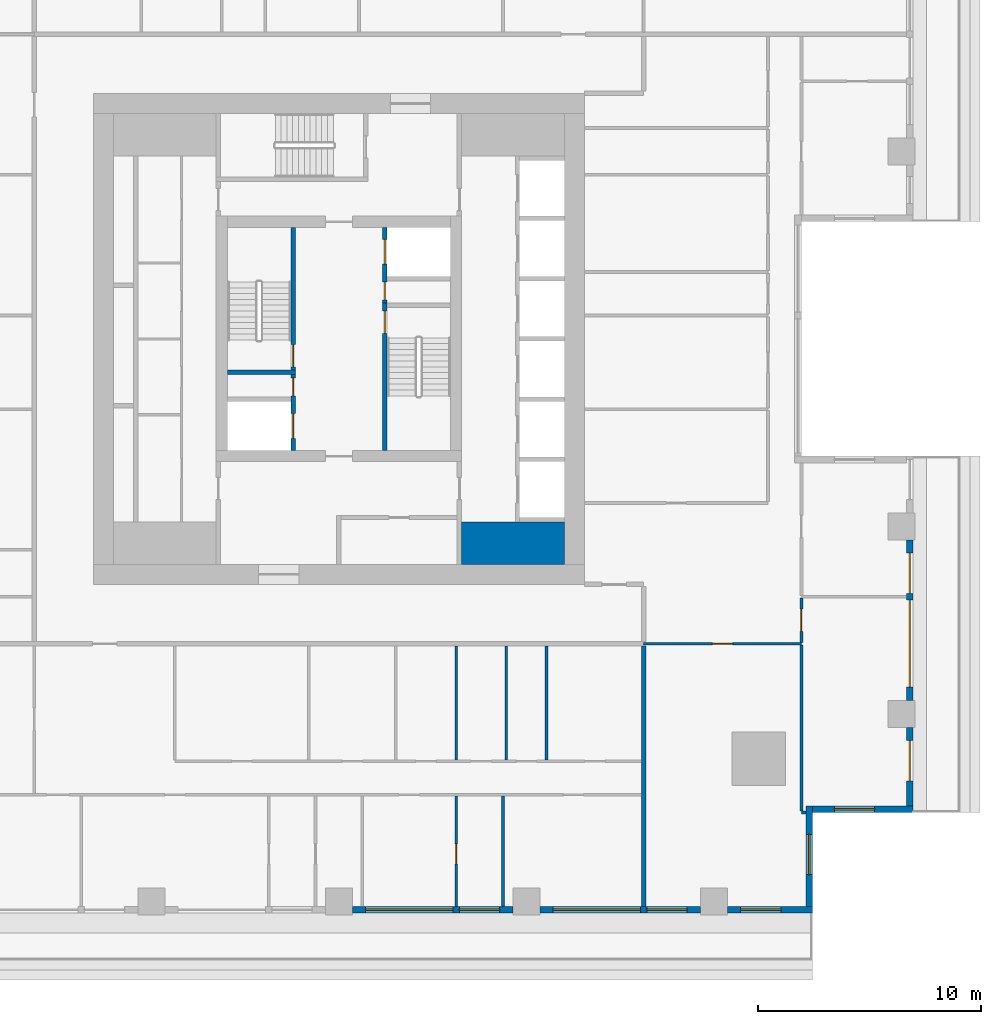
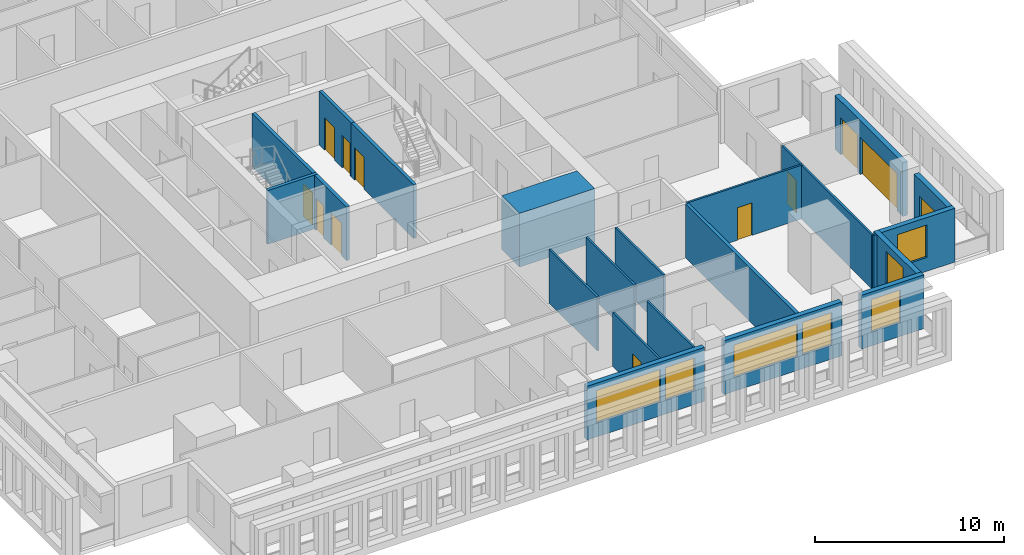
# One storey, part 4 of 15: 23 walls, 12 doors, 7 windows, 19 openings.
"""IFC4 building model written with IfcOpenShell, lengths in metres."""

import ifcopenshell
import ifcopenshell.guid

model = None  # the IFC model being written
_history = None  # IfcOwnerHistory: only IFC2X3 demands one
_inside = {}  # id of a spatial element -> (the spatial element, [elements in it])
_under = {}  # id of a project, library or spatial element -> (it, [spatial elements below it])
_declared = {}  # id of a project -> (the project, [libraries it declares])
_typed = {}  # id of a type object -> (the type object, [elements of that type])
_made_of = {}  # id of a material, layer set ... -> (it, [elements and type objects made of it])


def new_model(schema):
    """Start an empty IFC model of exactly this schema.

    Asked for "IFC4X3", IfcOpenShell would pick the latest addendum, in which some entities
    have other attributes; the version numbers below select the first issue.
    IFC2X3 requires an IfcOwnerHistory on every rooted entity: one is made here for all.
    """
    global model, _history
    if schema == "IFC4X3":
        model = ifcopenshell.file(schema_version=(4, 3, 0, 0))
    else:
        model = ifcopenshell.file(schema=schema)
    _inside.clear()
    _under.clear()
    _declared.clear()
    _typed.clear()
    _made_of.clear()
    _history = None
    if model.schema == "IFC2X3":
        org = make("IfcOrganization", Name="unknown")
        user = make(
            "IfcPersonAndOrganization",
            ThePerson=make("IfcPerson", FamilyName="unknown"),
            TheOrganization=org,
        )
        app = make(
            "IfcApplication",
            ApplicationDeveloper=org,
            Version="unknown",
            ApplicationFullName="unknown",
            ApplicationIdentifier="unknown",
        )
        _history = make(
            "IfcOwnerHistory",
            OwningUser=user,
            OwningApplication=app,
            ChangeAction="ADDED",
            CreationDate=0,
        )
    return model


def make(cls, **values):
    """One entity of the class cls with the attributes given. An attribute that is None is left unset."""
    return model.create_entity(
        cls, **{name: value for name, value in values.items() if value is not None}
    )


def rooted(cls, **values):
    """An entity with a GlobalId (a new one), such as an element, a storey or a relation."""
    return make(cls, GlobalId=ifcopenshell.guid.new(), OwnerHistory=_history, **values)


def si_unit(unit_type, name, prefix=None):
    """IfcSIUnit, for example si_unit("LENGTHUNIT", "METRE", prefix="MILLI")."""
    return make("IfcSIUnit", UnitType=unit_type, Prefix=prefix, Name=name)


def assignment(units):
    """IfcUnitAssignment: the units of a project."""
    return None if units is None else make("IfcUnitAssignment", Units=units)


def point(xyz):
    """IfcCartesianPoint."""
    return None if xyz is None else make("IfcCartesianPoint", Coordinates=xyz)


def direction(xyz):
    """IfcDirection."""
    return None if xyz is None else make("IfcDirection", DirectionRatios=xyz)


def frame(location, z_axis=None, x_axis=None):
    """IfcAxis2Placement3D, a coordinate frame: its origin and axes. An axis left out is left unset."""
    return make(
        "IfcAxis2Placement3D",
        Location=point(location),
        Axis=direction(z_axis),
        RefDirection=direction(x_axis),
    )


def frame_2d(location, x_axis=None):
    """IfcAxis2Placement2D, a coordinate frame in the plane: its origin and x axis."""
    return make(
        "IfcAxis2Placement2D", Location=point(location), RefDirection=direction(x_axis)
    )


def origin():
    """The frame at (0, 0, 0) with its axes left unset."""
    return frame((0.0, 0.0, 0.0))


def place(relative_to, where):
    """IfcLocalPlacement: puts the frame where relative to a parent placement (None: the world)."""
    return make(
        "IfcLocalPlacement", PlacementRelTo=relative_to, RelativePlacement=where
    )


def context(
    kind, dimensions, precision=None, world=None, true_north=None, identifier=None
):
    """IfcGeometricRepresentationContext, for example the 3D "Model" context."""
    return make(
        "IfcGeometricRepresentationContext",
        ContextIdentifier=identifier,
        ContextType=kind,
        CoordinateSpaceDimension=dimensions,
        Precision=precision,
        WorldCoordinateSystem=world,
        TrueNorth=true_north,
    )


def subcontext(parent, identifier, kind, view, scale=None):
    """IfcGeometricRepresentationSubContext, for example "Body" below "Model"."""
    return make(
        "IfcGeometricRepresentationSubContext",
        ContextIdentifier=identifier,
        ContextType=kind,
        ParentContext=parent,
        TargetScale=scale,
        TargetView=view,
    )


def project(units=None, contexts=None):
    """IfcProject with its units and contexts."""
    return rooted(
        "IfcProject",
        Name="project",
        RepresentationContexts=contexts,
        UnitsInContext=assignment(units),
    )


def spatial(cls, under=None, at=None, **own):
    """A site, building, storey or space (cls), placed at a placement, below another one or the project."""
    s = rooted(cls, ObjectPlacement=at, **own)
    if under is not None:
        _under.setdefault(under.id(), (under, []))[1].append(s)
    return s


def profile(cls, at=None, kind="AREA", **sizes):
    """A parametric profile (cls). Its sizes go by their IFC names, for example OverallWidth=200.0."""
    return make(cls, ProfileType=kind, Position=at, **sizes)


def rectangle(**sizes):
    """IfcRectangleProfileDef."""
    return profile("IfcRectangleProfileDef", **sizes)


def extrude(swept, where, along, depth):
    """IfcExtrudedAreaSolid: the profile swept, set in the frame where, extruded along a direction by depth."""
    return make(
        "IfcExtrudedAreaSolid",
        SweptArea=swept,
        Position=where,
        ExtrudedDirection=direction(along),
        Depth=depth,
    )


def shape(context_of_items, identifier, shape_type, items):
    """IfcShapeRepresentation: the items that make up one representation, for example the "Body"."""
    return make(
        "IfcShapeRepresentation",
        ContextOfItems=context_of_items,
        RepresentationIdentifier=identifier,
        RepresentationType=shape_type,
        Items=items,
    )


def material(Name=None, Category=None):
    """IfcMaterial."""
    return make("IfcMaterial", Name=Name, Category=Category)


def layer(
    of_material, thickness, ventilated=None, Name=None, Category=None, Priority=None
):
    """IfcMaterialLayer: one layer of a wall or slab, of a material (None: an air gap)."""
    return make(
        "IfcMaterialLayer",
        Material=of_material,
        LayerThickness=thickness,
        IsVentilated=ventilated,
        Name=Name,
        Category=Category,
        Priority=Priority,
    )


def layer_set(layers, Name=None):
    """IfcMaterialLayerSet."""
    return make("IfcMaterialLayerSet", MaterialLayers=layers, LayerSetName=Name)


def made_of(thing, what):
    """Note that an element or type object is made of a material, layer set ...; save() writes the relation."""
    if what is not None:
        _made_of.setdefault(what.id(), (what, []))[1].append(thing)
    return thing


def type_object(cls, material=None, **own):
    """A type object (cls), such as IfcWallType, which elements share."""
    return made_of(rooted(cls, **own), material)


def element(
    cls,
    number,
    at=None,
    inside=None,
    cuts=None,
    type_object=None,
    material=None,
    context=None,
    identifier="Body",
    shape_type=None,
    held_by="IfcProductDefinitionShape",
    body=None,
    shapes=None,
    **own,
):
    """One element of the class cls, such as IfcWall. Its Tag is "e" and its number.

    at: its placement. inside: the storey or other place that contains it. cuts: it is an
    opening in that element (IfcRelVoidsElement). A single representation is given by context,
    identifier, shape_type and body (its items); several are given by shapes. held_by: the class
    of the entity that holds the representations. save() writes the other relations.
    """
    e = rooted(cls, Tag="e%d" % number, ObjectPlacement=at, **own)
    if body is not None:
        shapes = [shape(context, identifier, shape_type, body)]
    if shapes is not None:
        e.Representation = make(held_by, Representations=shapes)
    if inside is not None:
        _inside.setdefault(inside.id(), (inside, []))[1].append(e)
    if cuts is not None:
        rooted(
            "IfcRelVoidsElement", RelatingBuildingElement=cuts, RelatedOpeningElement=e
        )
    if type_object is not None:
        _typed.setdefault(type_object.id(), (type_object, []))[1].append(e)
    return made_of(e, material)


def fill(opening, filler):
    """IfcRelFillsElement: the door or window that sits in an opening."""
    return rooted(
        "IfcRelFillsElement",
        RelatingOpeningElement=opening,
        RelatedBuildingElement=filler,
    )


def aggregate(whole, parts):
    """IfcRelAggregates: a whole, such as a stair, and the parts it consists of."""
    return rooted("IfcRelAggregates", RelatingObject=whole, RelatedObjects=parts)


def save(model, path):
    """Write the relations noted so far, then the file.

    IfcRelAggregates (storeys below a building ...), IfcRelContainedInSpatialStructure (elements
    in a storey), IfcRelDefinesByType, IfcRelAssociatesMaterial and IfcRelDeclares: one each for
    every whole, place, type object, material and project.
    """
    for whole, parts in _under.values():
        aggregate(whole, parts)
    for where, things in _inside.values():
        rooted(
            "IfcRelContainedInSpatialStructure",
            RelatedElements=things,
            RelatingStructure=where,
        )
    for kind, things in _typed.values():
        rooted("IfcRelDefinesByType", RelatedObjects=things, RelatingType=kind)
    for what, things in _made_of.values():
        rooted("IfcRelAssociatesMaterial", RelatedObjects=things, RelatingMaterial=what)
    for by, libraries in _declared.values():
        rooted("IfcRelDeclares", RelatingContext=by, RelatedDefinitions=libraries)
    model.write(path)


model = new_model("IFC4")

# Units and contexts
model_context = context("Model", 3, precision=1e-05, world=origin(), true_north=direction((0.0, 1.0)))
body_context = subcontext(model_context, "Body", "Model", "MODEL_VIEW")
ifc_project = project(units=[si_unit("LENGTHUNIT", "METRE"), si_unit("AREAUNIT", "SQUARE_METRE"), si_unit("VOLUMEUNIT", "CUBIC_METRE"), si_unit("PLANEANGLEUNIT", "RADIAN"), si_unit("MASSUNIT", "GRAM", prefix="KILO")], contexts=[model_context])

# Site, building, storey
site_placement = place(None, origin())
site = spatial("IfcSite", under=ifc_project, at=site_placement, CompositionType="ELEMENT")
building_placement = place(site_placement, origin())
building = spatial("IfcBuilding", under=site, at=building_placement, Name="Khepri Terraces", CompositionType="ELEMENT")
storey_placement = place(building_placement, frame((0.0, 0.0, 200.10009765625)))
storey = spatial("IfcBuildingStorey", under=building, at=storey_placement, Name="L47", CompositionType="ELEMENT", Elevation=200.10009765625)

# Wall
ifc_material_1 = material(Name="Concrete C50/60", Category="concrete")
ifc_layer_1 = layer(ifc_material_1, 1.89990234375, Name="Concrete C50/60", Category="concrete")
ifc_layer_set_1 = layer_set([ifc_layer_1], Name="Concrete C50/60")
wall_type_1 = type_object("IfcWallType", Name="Core wall 1900 C50/60", PredefinedType="SHEAR", material=ifc_layer_set_1)
wall_1_placement = place(storey_placement, frame((5.5, -9.14990234375, 0.0), z_axis=(0.0, 0.0, 1.0), x_axis=(1.0, 0.0, 0.0)))
element("IfcWall", 1, at=wall_1_placement, inside=storey, type_object=wall_type_1, Name="Core wall PR02 L47", PredefinedType="SHEAR", context=body_context, shape_type="SweptSolid", body=[
    extrude(rectangle(XDim=4.60009765625, YDim=1.89990234375, at=frame_2d((2.300048828125, 0.0))), origin(), (0.0, 0.0, 1.0), 3.47998046875),
])

# Wall, opening, door
ifc_layer_2 = layer(ifc_material_1, 0.199951171875, Name="Concrete C50/60", Category="concrete")
ifc_layer_set_2 = layer_set([ifc_layer_2], Name="Concrete C50/60")
wall_type_2 = type_object("IfcWallType", Name="Core wall 200 C50/60", PredefinedType="SHEAR", material=ifc_layer_set_2)
wall_2_placement = place(storey_placement, frame((2.050048828125, -5.0, 0.0), z_axis=(0.0, 0.0, 1.0), x_axis=(0.0, 1.0, 0.0)))
wall_2 = element("IfcWall", 2, at=wall_2_placement, inside=storey, type_object=wall_type_2, Name="Core wall ST01 L47", PredefinedType="SHEAR", context=body_context, shape_type="SweptSolid", body=[
    extrude(rectangle(XDim=6.60009765625, YDim=0.199951171875, at=frame_2d((3.300048828125, 0.0))), origin(), (0.0, 0.0, 1.0), 3.47998046875),
])
opening_1_placement = place(wall_2_placement, frame((5.25, 0.0, 0.0)))
opening_1 = element("IfcOpeningElement", 3, at=opening_1_placement, cuts=wall_2, Name="Opening L47-C10", PredefinedType="OPENING", context=body_context, shape_type="SweptSolid", body=[
    extrude(rectangle(XDim=1.0, YDim=2.10009765625, at=frame_2d((0.5, 1.050048828125))), frame((0.0, 0.10986328125, 0.0), z_axis=(0.0, -1.0, 0.0), x_axis=(1.0, 0.0, 0.0)), (0.0, 0.0, 1.0), 0.219970703125),
])
ifc_material_2 = material(Name="Painted steel", Category="steel")
door_type_1 = type_object("IfcDoorType", Name="DR-CORE-STAIR-1000", OperationType="NOTDEFINED", PredefinedType="DOOR", material=ifc_material_2)
door_1_placement = place(opening_1_placement, frame((1.0, 0.0, 0.0), z_axis=(0.0, 0.0, 1.0), x_axis=(-1.0, 0.0, 0.0)))
door_1 = element("IfcDoor", 4, at=door_1_placement, inside=storey, type_object=door_type_1, Name="Stair door L47-C10", OperationType="SINGLE_SWING_LEFT", OverallHeight=2.10009765625, OverallWidth=1.0, PredefinedType="DOOR", context=body_context, shape_type="SweptSolid", body=[
    extrude(rectangle(XDim=1.0, YDim=2.10009765625, at=frame_2d((0.5, 1.050048828125))), frame((0.0, 0.02490234375, 0.0), z_axis=(0.0, -1.0, 0.0), x_axis=(1.0, 0.0, 0.0)), (0.0, 0.0, 1.0), 0.050048828125),
])
fill(opening_1, door_1)

# Wall
wall_3_placement = place(storey_placement, frame((-5.0, -1.5, 0.0), z_axis=(0.0, 0.0, 1.0), x_axis=(1.0, 0.0, 0.0)))
element("IfcWall", 5, at=wall_3_placement, inside=storey, type_object=wall_type_2, Name="Core wall ST02 L47", PredefinedType="SHEAR", context=body_context, shape_type="SweptSolid", body=[
    extrude(rectangle(XDim=3.050048828125, YDim=0.199951171875, at=frame_2d((1.52490234375, 0.0))), origin(), (0.0, 0.0, 1.0), 3.47998046875),
])

# Wall, opening, door
wall_4_placement = place(storey_placement, frame((-2.050048828125, -1.39990234375, 0.0), z_axis=(0.0, 0.0, 1.0), x_axis=(0.0, 1.0, 0.0)))
wall_4 = element("IfcWall", 6, at=wall_4_placement, inside=storey, type_object=wall_type_2, Name="Core wall ST03 L47", PredefinedType="SHEAR", context=body_context, shape_type="SweptSolid", body=[
    extrude(rectangle(XDim=6.39990234375, YDim=0.199951171875, at=frame_2d((3.199951171875, 0.0))), origin(), (0.0, 0.0, 1.0), 3.47998046875),
])
opening_2_placement = place(wall_4_placement, frame((0.14990234375, 0.0, 0.0)))
opening_2 = element("IfcOpeningElement", 7, at=opening_2_placement, cuts=wall_4, Name="Opening L47-C09", PredefinedType="OPENING", context=body_context, shape_type="SweptSolid", body=[
    extrude(rectangle(XDim=1.0, YDim=2.10009765625, at=frame_2d((0.5, 1.050048828125))), frame((0.0, 0.10986328125, 0.0), z_axis=(0.0, -1.0, 0.0), x_axis=(1.0, 0.0, 0.0)), (0.0, 0.0, 1.0), 0.219970703125),
])
door_2_placement = place(opening_2_placement, origin())
door_2 = element("IfcDoor", 8, at=door_2_placement, inside=storey, type_object=door_type_1, Name="Stair door L47-C09", OperationType="SINGLE_SWING_LEFT", OverallHeight=2.10009765625, OverallWidth=1.0, PredefinedType="DOOR", context=body_context, shape_type="SweptSolid", body=[
    extrude(rectangle(XDim=1.0, YDim=2.10009765625, at=frame_2d((0.5, 1.050048828125))), frame((0.0, 0.02490234375, 0.0), z_axis=(0.0, -1.0, 0.0), x_axis=(1.0, 0.0, 0.0)), (0.0, 0.0, 1.0), 0.050048828125),
])
fill(opening_2, door_2)

# Wall, openings, doors
wall_5_placement = place(storey_placement, frame((-2.050048828125, -5.0, 0.0), z_axis=(0.0, 0.0, 1.0), x_axis=(0.0, 1.0, 0.0)))
wall_5 = element("IfcWall", 9, at=wall_5_placement, inside=storey, type_object=wall_type_2, Name="Core wall SH05 L47", PredefinedType="SHEAR", context=body_context, shape_type="SweptSolid", body=[
    extrude(rectangle(XDim=3.39990234375, YDim=0.199951171875, at=frame_2d((1.699951171875, 0.0))), origin(), (0.0, 0.0, 1.0), 3.47998046875),
])
opening_3_placement = place(wall_5_placement, frame((0.550048828125, 0.0, 0.0)))
opening_3 = element("IfcOpeningElement", 10, at=opening_3_placement, cuts=wall_5, Name="Opening L47-C08", PredefinedType="OPENING", context=body_context, shape_type="SweptSolid", body=[
    extrude(rectangle(XDim=1.10009765625, YDim=2.10009765625, at=frame_2d((0.550048828125, 1.050048828125))), frame((0.0, 0.10986328125, 0.0), z_axis=(0.0, -1.0, 0.0), x_axis=(1.0, 0.0, 0.0)), (0.0, 0.0, 1.0), 0.219970703125),
])
opening_4_placement = place(wall_5_placement, frame((2.449951171875, 0.0, 0.0)))
opening_4 = element("IfcOpeningElement", 11, at=opening_4_placement, cuts=wall_5, Name="Opening L47-C12", PredefinedType="OPENING", context=body_context, shape_type="SweptSolid", body=[
    extrude(rectangle(XDim=0.800048828125, YDim=2.10009765625, at=frame_2d((0.39990234375, 1.050048828125))), frame((0.0, 0.10986328125, 0.0), z_axis=(0.0, -1.0, 0.0), x_axis=(1.0, 0.0, 0.0)), (0.0, 0.0, 1.0), 0.219970703125),
])
ifc_material_3 = material(Name="Stainless steel 304", Category="steel")
door_type_2 = type_object("IfcDoorType", Name="DR-CORE-FF-LANDING-1100", OperationType="NOTDEFINED", PredefinedType="DOOR", material=ifc_material_3)
door_3_placement = place(opening_3_placement, origin())
door_3 = element("IfcDoor", 12, at=door_3_placement, inside=storey, type_object=door_type_2, Name="Firefighting lift landing door L47-C08", OperationType="SLIDING_TO_LEFT", OverallHeight=2.10009765625, OverallWidth=1.10009765625, PredefinedType="DOOR", context=body_context, shape_type="SweptSolid", body=[
    extrude(rectangle(XDim=1.10009765625, YDim=2.10009765625, at=frame_2d((0.550048828125, 1.050048828125))), frame((0.0, 0.02490234375, 0.0), z_axis=(0.0, -1.0, 0.0), x_axis=(1.0, 0.0, 0.0)), (0.0, 0.0, 1.0), 0.050048828125),
])
fill(opening_3, door_3)
door_type_3 = type_object("IfcDoorType", Name="DR-CORE-RISER-800", OperationType="NOTDEFINED", PredefinedType="DOOR", material=ifc_material_2)
door_4_placement = place(opening_4_placement, origin())
door_4 = element("IfcDoor", 13, at=door_4_placement, inside=storey, type_object=door_type_3, Name="Riser door L47-C12", OperationType="SINGLE_SWING_RIGHT", OverallHeight=2.10009765625, OverallWidth=0.800048828125, PredefinedType="DOOR", context=body_context, shape_type="SweptSolid", body=[
    extrude(rectangle(XDim=0.800048828125, YDim=2.10009765625, at=frame_2d((0.39990234375, 1.050048828125))), frame((0.0, 0.02490234375, 0.0), z_axis=(0.0, -1.0, 0.0), x_axis=(1.0, 0.0, 0.0)), (0.0, 0.0, 1.0), 0.050048828125),
])
fill(opening_4, door_4)

wall_6_placement = place(storey_placement, frame((2.050048828125, 1.60009765625, 0.0), z_axis=(0.0, 0.0, 1.0), x_axis=(0.0, 1.0, 0.0)))
wall_6 = element("IfcWall", 14, at=wall_6_placement, inside=storey, type_object=wall_type_2, Name="Core wall SH10 L47", PredefinedType="SHEAR", context=body_context, shape_type="SweptSolid", body=[
    extrude(rectangle(XDim=3.39990234375, YDim=0.199951171875, at=frame_2d((1.699951171875, 0.0))), origin(), (0.0, 0.0, 1.0), 3.47998046875),
])
opening_5_placement = place(wall_6_placement, frame((1.75, 0.0, 0.0)))
opening_5 = element("IfcOpeningElement", 15, at=opening_5_placement, cuts=wall_6, Name="Opening L47-C07", PredefinedType="OPENING", context=body_context, shape_type="SweptSolid", body=[
    extrude(rectangle(XDim=1.10009765625, YDim=2.10009765625, at=frame_2d((0.550048828125, 1.050048828125))), frame((0.0, 0.10986328125, 0.0), z_axis=(0.0, -1.0, 0.0), x_axis=(1.0, 0.0, 0.0)), (0.0, 0.0, 1.0), 0.219970703125),
])
opening_6_placement = place(wall_6_placement, frame((0.14990234375, 0.0, 0.0)))
opening_6 = element("IfcOpeningElement", 16, at=opening_6_placement, cuts=wall_6, Name="Opening L47-C11", PredefinedType="OPENING", context=body_context, shape_type="SweptSolid", body=[
    extrude(rectangle(XDim=0.800048828125, YDim=2.10009765625, at=frame_2d((0.39990234375, 1.050048828125))), frame((0.0, 0.10986328125, 0.0), z_axis=(0.0, -1.0, 0.0), x_axis=(1.0, 0.0, 0.0)), (0.0, 0.0, 1.0), 0.219970703125),
])
door_5_placement = place(opening_5_placement, origin())
door_5 = element("IfcDoor", 17, at=door_5_placement, inside=storey, type_object=door_type_2, Name="Firefighting lift landing door L47-C07", OperationType="SLIDING_TO_LEFT", OverallHeight=2.10009765625, OverallWidth=1.10009765625, PredefinedType="DOOR", context=body_context, shape_type="SweptSolid", body=[
    extrude(rectangle(XDim=1.10009765625, YDim=2.10009765625, at=frame_2d((0.550048828125, 1.050048828125))), frame((0.0, 0.02490234375, 0.0), z_axis=(0.0, -1.0, 0.0), x_axis=(1.0, 0.0, 0.0)), (0.0, 0.0, 1.0), 0.050048828125),
])
fill(opening_5, door_5)
door_6_placement = place(opening_6_placement, frame((0.800048828125, 0.0, 0.0), z_axis=(0.0, 0.0, 1.0), x_axis=(-1.0, 0.0, 0.0)))
door_6 = element("IfcDoor", 18, at=door_6_placement, inside=storey, type_object=door_type_3, Name="Riser door L47-C11", OperationType="SINGLE_SWING_RIGHT", OverallHeight=2.10009765625, OverallWidth=0.800048828125, PredefinedType="DOOR", context=body_context, shape_type="SweptSolid", body=[
    extrude(rectangle(XDim=0.800048828125, YDim=2.10009765625, at=frame_2d((0.39990234375, 1.050048828125))), frame((0.0, 0.02490234375, 0.0), z_axis=(0.0, -1.0, 0.0), x_axis=(1.0, 0.0, 0.0)), (0.0, 0.0, 1.0), 0.050048828125),
])
fill(opening_6, door_6)

# Wall
ifc_material_4 = material(Name="Fire-rated gypsum plasterboard partition, mineral wool")
ifc_layer_3 = layer(ifc_material_4, 0.199951171875, Name="Fire-rated gypsum plasterboard partition, mineral wool")
ifc_layer_set_3 = layer_set([ifc_layer_3], Name="Fire-rated gypsum plasterboard partition, mineral wool")
wall_type_3 = type_object("IfcWallType", Name="WL-CORR-200", PredefinedType="PARTITIONING", material=ifc_layer_set_3)
wall_7_placement = place(storey_placement, frame((13.64990234375, -25.419921875, 0.0), z_axis=(0.0, 0.0, 1.0), x_axis=(0.0, 1.0, 0.0)))
element("IfcWall", 19, at=wall_7_placement, inside=storey, type_object=wall_type_3, Name="Partition P-007 L47", PredefinedType="PARTITIONING", context=body_context, shape_type="SweptSolid", body=[
    extrude(rectangle(XDim=11.669921875, YDim=0.199951171875, at=frame_2d((5.8349609375, 0.0))), origin(), (0.0, 0.0, 1.0), 3.47998046875),
])

# Wall, opening, window
ifc_material_5 = material(Name="Precast concrete C50/60 warm stone", Category="masonry")
ifc_layer_4 = layer(ifc_material_5, 0.300048828125, Name="Precast concrete C50/60 warm stone", Category="masonry")
ifc_layer_set_4 = layer_set([ifc_layer_4], Name="Precast concrete C50/60 warm stone")
wall_type_4 = type_object("IfcWallType", Name="WL-EXT-PRECAST-300", PredefinedType="STANDARD", material=ifc_layer_set_4)
wall_8_placement = place(storey_placement, frame((21.219970703125, -21.070068359375, 0.0), z_axis=(0.0, 0.0, 1.0), x_axis=(1.0, 0.0, 0.0)))
wall_8 = element("IfcWall", 20, at=wall_8_placement, inside=storey, type_object=wall_type_4, Name="External wall L47 S", PredefinedType="STANDARD", context=body_context, shape_type="SweptSolid", body=[
    extrude(rectangle(XDim=4.5, YDim=0.300048828125, at=frame_2d((2.25, 0.0))), origin(), (0.0, 0.0, 1.0), 3.47998046875),
])
opening_7_placement = place(wall_8_placement, frame((0.97998046875, 0.0, 0.89990234375)))
opening_7 = element("IfcOpeningElement", 21, at=opening_7_placement, cuts=wall_8, Name="Opening W1", PredefinedType="OPENING", context=body_context, shape_type="SweptSolid", body=[
    extrude(rectangle(XDim=1.800048828125, YDim=2.10009765625, at=frame_2d((0.89990234375, 1.050048828125))), frame((0.0, 0.16015625, 0.0), z_axis=(0.0, -1.0, 0.0), x_axis=(1.0, 0.0, 0.0)), (0.0, 0.0, 1.0), 0.320068359375),
])
ifc_material_6 = material(Name="Clear glass", Category="glass")
window_type_1 = type_object("IfcWindowType", Name="WIN-RES-1800x2100", PartitioningType="SINGLE_PANEL", PredefinedType="WINDOW", material=ifc_material_6)
window_1_placement = place(opening_7_placement, origin())
window_1 = element("IfcWindow", 22, at=window_1_placement, inside=storey, type_object=window_type_1, Name="Window L47 S", OverallHeight=2.10009765625, OverallWidth=1.800048828125, PartitioningType="SINGLE_PANEL", PredefinedType="WINDOW", context=body_context, shape_type="SweptSolid", body=[
    extrude(rectangle(XDim=1.800048828125, YDim=2.10009765625, at=frame_2d((0.89990234375, 1.050048828125))), frame((0.0, 0.030029296875, 0.0), z_axis=(0.0, -1.0, 0.0), x_axis=(1.0, 0.0, 0.0)), (0.0, 0.0, 1.0), 0.06005859375),
])
fill(opening_7, window_1)

# Wall, opening, door
wall_9_placement = place(storey_placement, frame((25.570068359375, -20.919921875, 0.0), z_axis=(0.0, 0.0, 1.0), x_axis=(0.0, 1.0, 0.0)))
wall_9 = element("IfcWall", 23, at=wall_9_placement, inside=storey, type_object=wall_type_4, Name="External wall L47 E", PredefinedType="STANDARD", context=body_context, shape_type="SweptSolid", body=[
    extrude(rectangle(XDim=3.52001953125, YDim=0.300048828125, at=frame_2d((1.760009765625, 0.0))), origin(), (0.0, 0.0, 1.0), 3.47998046875),
])
opening_8_placement = place(wall_9_placement, frame((1.1201171875, 0.0, 0.0)))
opening_8 = element("IfcOpeningElement", 24, at=opening_8_placement, cuts=wall_9, Name="Opening ED-L47-01", PredefinedType="OPENING", context=body_context, shape_type="SweptSolid", body=[
    extrude(rectangle(XDim=1.800048828125, YDim=2.39990234375, at=frame_2d((0.89990234375, 1.199951171875))), frame((0.0, 0.16015625, 0.0), z_axis=(0.0, -1.0, 0.0), x_axis=(1.0, 0.0, 0.0)), (0.0, 0.0, 1.0), 0.320068359375),
])
ifc_material_7 = material(Name="Anodised aluminium bronze glazed door", Category="aluminium")
door_type_4 = type_object("IfcDoorType", Name="DR-BAL-SLIDE-1800x2400", OperationType="NOTDEFINED", PredefinedType="DOOR", material=ifc_material_7)
door_7_placement = place(opening_8_placement, origin())
door_7 = element("IfcDoor", 25, at=door_7_placement, inside=storey, type_object=door_type_4, Name="Balcony door L47 E", OperationType="SLIDING_TO_RIGHT", OverallHeight=2.39990234375, OverallWidth=1.800048828125, PredefinedType="DOOR", context=body_context, shape_type="SweptSolid", body=[
    extrude(rectangle(XDim=1.800048828125, YDim=2.39990234375, at=frame_2d((0.89990234375, 1.199951171875))), frame((0.0, 0.02490234375, 0.0), z_axis=(0.0, -1.0, 0.0), x_axis=(1.0, 0.0, 0.0)), (0.0, 0.0, 1.0), 0.050048828125),
])
fill(opening_8, door_7)

# Wall, openings, doors
wall_10_placement = place(storey_placement, frame((25.570068359375, -16.199951171875, 0.0), z_axis=(0.0, 0.0, 1.0), x_axis=(0.0, 1.0, 0.0)))
wall_10 = element("IfcWall", 26, at=wall_10_placement, inside=storey, type_object=wall_type_4, Name="External wall L47 E", PredefinedType="STANDARD", context=body_context, shape_type="SweptSolid", body=[
    extrude(rectangle(XDim=7.199951171875, YDim=0.300048828125, at=frame_2d((3.60009765625, 0.0))), origin(), (0.0, 0.0, 1.0), 3.47998046875),
])
opening_9_placement = place(wall_10_placement, frame((0.60009765625, 0.0, 0.0)))
opening_9 = element("IfcOpeningElement", 27, at=opening_9_placement, cuts=wall_10, Name="Opening ED-L47-02", PredefinedType="OPENING", context=body_context, shape_type="SweptSolid", body=[
    extrude(rectangle(XDim=3.89990234375, YDim=2.39990234375, at=frame_2d((1.949951171875, 1.199951171875))), frame((0.0, 0.16015625, 0.0), z_axis=(0.0, -1.0, 0.0), x_axis=(1.0, 0.0, 0.0)), (0.0, 0.0, 1.0), 0.320068359375),
])
opening_10_placement = place(wall_10_placement, frame((4.800048828125, 0.0, 0.0)))
opening_10 = element("IfcOpeningElement", 28, at=opening_10_placement, cuts=wall_10, Name="Opening ED-L47-03", PredefinedType="OPENING", context=body_context, shape_type="SweptSolid", body=[
    extrude(rectangle(XDim=1.800048828125, YDim=2.39990234375, at=frame_2d((0.89990234375, 1.199951171875))), frame((0.0, 0.16015625, 0.0), z_axis=(0.0, -1.0, 0.0), x_axis=(1.0, 0.0, 0.0)), (0.0, 0.0, 1.0), 0.320068359375),
])
door_8_placement = place(opening_10_placement, origin())
door_8 = element("IfcDoor", 29, at=door_8_placement, inside=storey, type_object=door_type_4, Name="Balcony door L47 E", OperationType="SLIDING_TO_RIGHT", OverallHeight=2.39990234375, OverallWidth=1.800048828125, PredefinedType="DOOR", context=body_context, shape_type="SweptSolid", body=[
    extrude(rectangle(XDim=1.800048828125, YDim=2.39990234375, at=frame_2d((0.89990234375, 1.199951171875))), frame((0.0, 0.02490234375, 0.0), z_axis=(0.0, -1.0, 0.0), x_axis=(1.0, 0.0, 0.0)), (0.0, 0.0, 1.0), 0.050048828125),
])
fill(opening_10, door_8)
door_type_5 = type_object("IfcDoorType", Name="DR-BAL-SLIDE-3900x2400", OperationType="NOTDEFINED", PredefinedType="DOOR", material=ifc_material_7)
door_9_placement = place(opening_9_placement, origin())
door_9 = element("IfcDoor", 30, at=door_9_placement, inside=storey, type_object=door_type_5, Name="Balcony door L47 E", OperationType="SLIDING_TO_LEFT", OverallHeight=2.39990234375, OverallWidth=3.89990234375, PredefinedType="DOOR", context=body_context, shape_type="SweptSolid", body=[
    extrude(rectangle(XDim=3.89990234375, YDim=2.39990234375, at=frame_2d((1.949951171875, 1.199951171875))), frame((0.0, 0.02490234375, 0.0), z_axis=(0.0, -1.0, 0.0), x_axis=(1.0, 0.0, 0.0)), (0.0, 0.0, 1.0), 0.050048828125),
])
fill(opening_9, door_9)

# Wall, openings, windows
wall_11_placement = place(storey_placement, frame((0.60009765625, -25.570068359375, 0.0), z_axis=(0.0, 0.0, 1.0), x_axis=(1.0, 0.0, 0.0)))
wall_11 = element("IfcWall", 31, at=wall_11_placement, inside=storey, type_object=wall_type_4, Name="External wall L47 S", PredefinedType="STANDARD", context=body_context, shape_type="SweptSolid", body=[
    extrude(rectangle(XDim=7.199951171875, YDim=0.300048828125, at=frame_2d((3.60009765625, 0.0))), origin(), (0.0, 0.0, 1.0), 3.47998046875),
])
opening_11_placement = place(wall_11_placement, frame((0.60009765625, 0.0, 0.89990234375)))
opening_11 = element("IfcOpeningElement", 32, at=opening_11_placement, cuts=wall_11, Name="Opening W2", PredefinedType="OPENING", context=body_context, shape_type="SweptSolid", body=[
    extrude(rectangle(XDim=3.89990234375, YDim=2.10009765625, at=frame_2d((1.949951171875, 1.050048828125))), frame((0.0, 0.16015625, 0.0), z_axis=(0.0, -1.0, 0.0), x_axis=(1.0, 0.0, 0.0)), (0.0, 0.0, 1.0), 0.320068359375),
])
opening_12_placement = place(wall_11_placement, frame((4.800048828125, 0.0, 0.89990234375)))
opening_12 = element("IfcOpeningElement", 33, at=opening_12_placement, cuts=wall_11, Name="Opening W1", PredefinedType="OPENING", context=body_context, shape_type="SweptSolid", body=[
    extrude(rectangle(XDim=1.800048828125, YDim=2.10009765625, at=frame_2d((0.89990234375, 1.050048828125))), frame((0.0, 0.16015625, 0.0), z_axis=(0.0, -1.0, 0.0), x_axis=(1.0, 0.0, 0.0)), (0.0, 0.0, 1.0), 0.320068359375),
])
window_2_placement = place(opening_12_placement, origin())
window_2 = element("IfcWindow", 34, at=window_2_placement, inside=storey, type_object=window_type_1, Name="Window L47 S", OverallHeight=2.10009765625, OverallWidth=1.800048828125, PartitioningType="SINGLE_PANEL", PredefinedType="WINDOW", context=body_context, shape_type="SweptSolid", body=[
    extrude(rectangle(XDim=1.800048828125, YDim=2.10009765625, at=frame_2d((0.89990234375, 1.050048828125))), frame((0.0, 0.030029296875, 0.0), z_axis=(0.0, -1.0, 0.0), x_axis=(1.0, 0.0, 0.0)), (0.0, 0.0, 1.0), 0.06005859375),
])
fill(opening_12, window_2)
window_type_2 = type_object("IfcWindowType", Name="WIN-RES-3900x2100", PartitioningType="SINGLE_PANEL", PredefinedType="WINDOW", material=ifc_material_6)
window_3_placement = place(opening_11_placement, origin())
window_3 = element("IfcWindow", 35, at=window_3_placement, inside=storey, type_object=window_type_2, Name="Window L47 S", OverallHeight=2.10009765625, OverallWidth=3.89990234375, PartitioningType="SINGLE_PANEL", PredefinedType="WINDOW", context=body_context, shape_type="SweptSolid", body=[
    extrude(rectangle(XDim=3.89990234375, YDim=2.10009765625, at=frame_2d((1.949951171875, 1.050048828125))), frame((0.0, 0.030029296875, 0.0), z_axis=(0.0, -1.0, 0.0), x_axis=(1.0, 0.0, 0.0)), (0.0, 0.0, 1.0), 0.06005859375),
])
fill(opening_11, window_3)

wall_12_placement = place(storey_placement, frame((9.0, -25.570068359375, 0.0), z_axis=(0.0, 0.0, 1.0), x_axis=(1.0, 0.0, 0.0)))
wall_12 = element("IfcWall", 36, at=wall_12_placement, inside=storey, type_object=wall_type_4, Name="External wall L47 S", PredefinedType="STANDARD", context=body_context, shape_type="SweptSolid", body=[
    extrude(rectangle(XDim=7.199951171875, YDim=0.300048828125, at=frame_2d((3.60009765625, 0.0))), origin(), (0.0, 0.0, 1.0), 3.47998046875),
])
opening_13_placement = place(wall_12_placement, frame((0.60009765625, 0.0, 0.89990234375)))
opening_13 = element("IfcOpeningElement", 37, at=opening_13_placement, cuts=wall_12, Name="Opening W2", PredefinedType="OPENING", context=body_context, shape_type="SweptSolid", body=[
    extrude(rectangle(XDim=3.89990234375, YDim=2.10009765625, at=frame_2d((1.949951171875, 1.050048828125))), frame((0.0, 0.16015625, 0.0), z_axis=(0.0, -1.0, 0.0), x_axis=(1.0, 0.0, 0.0)), (0.0, 0.0, 1.0), 0.320068359375),
])
opening_14_placement = place(wall_12_placement, frame((4.800048828125, 0.0, 0.89990234375)))
opening_14 = element("IfcOpeningElement", 38, at=opening_14_placement, cuts=wall_12, Name="Opening W1", PredefinedType="OPENING", context=body_context, shape_type="SweptSolid", body=[
    extrude(rectangle(XDim=1.800048828125, YDim=2.10009765625, at=frame_2d((0.89990234375, 1.050048828125))), frame((0.0, 0.16015625, 0.0), z_axis=(0.0, -1.0, 0.0), x_axis=(1.0, 0.0, 0.0)), (0.0, 0.0, 1.0), 0.320068359375),
])
window_4_placement = place(opening_14_placement, origin())
window_4 = element("IfcWindow", 39, at=window_4_placement, inside=storey, type_object=window_type_1, Name="Window L47 S", OverallHeight=2.10009765625, OverallWidth=1.800048828125, PartitioningType="SINGLE_PANEL", PredefinedType="WINDOW", context=body_context, shape_type="SweptSolid", body=[
    extrude(rectangle(XDim=1.800048828125, YDim=2.10009765625, at=frame_2d((0.89990234375, 1.050048828125))), frame((0.0, 0.030029296875, 0.0), z_axis=(0.0, -1.0, 0.0), x_axis=(1.0, 0.0, 0.0)), (0.0, 0.0, 1.0), 0.06005859375),
])
fill(opening_14, window_4)
window_5_placement = place(opening_13_placement, origin())
window_5 = element("IfcWindow", 40, at=window_5_placement, inside=storey, type_object=window_type_2, Name="Window L47 S", OverallHeight=2.10009765625, OverallWidth=3.89990234375, PartitioningType="SINGLE_PANEL", PredefinedType="WINDOW", context=body_context, shape_type="SweptSolid", body=[
    extrude(rectangle(XDim=3.89990234375, YDim=2.10009765625, at=frame_2d((1.949951171875, 1.050048828125))), frame((0.0, 0.030029296875, 0.0), z_axis=(0.0, -1.0, 0.0), x_axis=(1.0, 0.0, 0.0)), (0.0, 0.0, 1.0), 0.06005859375),
])
fill(opening_13, window_5)

# Wall, opening, window
wall_13_placement = place(storey_placement, frame((17.39990234375, -25.570068359375, 0.0), z_axis=(0.0, 0.0, 1.0), x_axis=(1.0, 0.0, 0.0)))
wall_13 = element("IfcWall", 41, at=wall_13_placement, inside=storey, type_object=wall_type_4, Name="External wall L47 S", PredefinedType="STANDARD", context=body_context, shape_type="SweptSolid", body=[
    extrude(rectangle(XDim=3.820068359375, YDim=0.300048828125, at=frame_2d((1.91015625, 0.0))), origin(), (0.0, 0.0, 1.0), 3.47998046875),
])
opening_15_placement = place(wall_13_placement, frame((0.60009765625, 0.0, 0.89990234375)))
opening_15 = element("IfcOpeningElement", 42, at=opening_15_placement, cuts=wall_13, Name="Opening W1", PredefinedType="OPENING", context=body_context, shape_type="SweptSolid", body=[
    extrude(rectangle(XDim=1.800048828125, YDim=2.10009765625, at=frame_2d((0.89990234375, 1.050048828125))), frame((0.0, 0.16015625, 0.0), z_axis=(0.0, -1.0, 0.0), x_axis=(1.0, 0.0, 0.0)), (0.0, 0.0, 1.0), 0.320068359375),
])
window_6_placement = place(opening_15_placement, origin())
window_6 = element("IfcWindow", 43, at=window_6_placement, inside=storey, type_object=window_type_1, Name="Window L47 S", OverallHeight=2.10009765625, OverallWidth=1.800048828125, PartitioningType="SINGLE_PANEL", PredefinedType="WINDOW", context=body_context, shape_type="SweptSolid", body=[
    extrude(rectangle(XDim=1.800048828125, YDim=2.10009765625, at=frame_2d((0.89990234375, 1.050048828125))), frame((0.0, 0.030029296875, 0.0), z_axis=(0.0, -1.0, 0.0), x_axis=(1.0, 0.0, 0.0)), (0.0, 0.0, 1.0), 0.06005859375),
])
fill(opening_15, window_6)

wall_14_placement = place(storey_placement, frame((21.070068359375, -25.419921875, 0.0), z_axis=(0.0, 0.0, 1.0), x_axis=(0.0, 1.0, 0.0)))
wall_14 = element("IfcWall", 44, at=wall_14_placement, inside=storey, type_object=wall_type_4, Name="External wall L47 E", PredefinedType="STANDARD", context=body_context, shape_type="SweptSolid", body=[
    extrude(rectangle(XDim=4.5, YDim=0.300048828125, at=frame_2d((2.25, 0.0))), origin(), (0.0, 0.0, 1.0), 3.47998046875),
])
opening_16_placement = place(wall_14_placement, frame((1.419921875, 0.0, 0.89990234375)))
opening_16 = element("IfcOpeningElement", 45, at=opening_16_placement, cuts=wall_14, Name="Opening W1", PredefinedType="OPENING", context=body_context, shape_type="SweptSolid", body=[
    extrude(rectangle(XDim=1.800048828125, YDim=2.10009765625, at=frame_2d((0.89990234375, 1.050048828125))), frame((0.0, 0.16015625, 0.0), z_axis=(0.0, -1.0, 0.0), x_axis=(1.0, 0.0, 0.0)), (0.0, 0.0, 1.0), 0.320068359375),
])
window_7_placement = place(opening_16_placement, origin())
window_7 = element("IfcWindow", 46, at=window_7_placement, inside=storey, type_object=window_type_1, Name="Window L47 E", OverallHeight=2.10009765625, OverallWidth=1.800048828125, PartitioningType="SINGLE_PANEL", PredefinedType="WINDOW", context=body_context, shape_type="SweptSolid", body=[
    extrude(rectangle(XDim=1.800048828125, YDim=2.10009765625, at=frame_2d((0.89990234375, 1.050048828125))), frame((0.0, 0.030029296875, 0.0), z_axis=(0.0, -1.0, 0.0), x_axis=(1.0, 0.0, 0.0)), (0.0, 0.0, 1.0), 0.06005859375),
])
fill(opening_16, window_7)

# Wall, opening, door
ifc_material_8 = material(Name="Gypsum plasterboard partition")
ifc_layer_5 = layer(ifc_material_8, 0.1201171875, Name="Gypsum plasterboard partition")
ifc_layer_set_5 = layer_set([ifc_layer_5], Name="Gypsum plasterboard partition")
wall_type_5 = type_object("IfcWallType", Name="WL-PART-120", PredefinedType="PARTITIONING", material=ifc_layer_set_5)
wall_15_placement = place(storey_placement, frame((5.25, -25.419921875, 0.0), z_axis=(0.0, 0.0, 1.0), x_axis=(0.0, 1.0, 0.0)))
wall_15 = element("IfcWall", 47, at=wall_15_placement, inside=storey, type_object=wall_type_5, Name="Partition P-005 L47", PredefinedType="PARTITIONING", context=body_context, shape_type="SweptSolid", body=[
    extrude(rectangle(XDim=4.93994140625, YDim=0.1201171875, at=frame_2d((2.469970703125, 0.0))), origin(), (0.0, 0.0, 1.0), 3.47998046875),
])
opening_17_placement = place(wall_15_placement, frame((1.89990234375, 0.0, 0.0)))
opening_17 = element("IfcOpeningElement", 48, at=opening_17_placement, cuts=wall_15, Name="Opening D4", PredefinedType="OPENING", context=body_context, shape_type="SweptSolid", body=[
    extrude(rectangle(XDim=0.89990234375, YDim=2.10009765625, at=frame_2d((0.449951171875, 1.050048828125))), frame((0.0, 0.070068359375, 0.0), z_axis=(0.0, -1.0, 0.0), x_axis=(1.0, 0.0, 0.0)), (0.0, 0.0, 1.0), 0.14013671875),
])
ifc_material_9 = material(Name="Timber door leaf, moisture resistant", Category="wood")
door_type_6 = type_object("IfcDoorType", Name="DR-WET-900", OperationType="NOTDEFINED", PredefinedType="DOOR", material=ifc_material_9)
door_10_placement = place(opening_17_placement, frame((0.89990234375, 0.0, 0.0), z_axis=(0.0, 0.0, 1.0), x_axis=(-1.0, 0.0, 0.0)))
door_10 = element("IfcDoor", 49, at=door_10_placement, inside=storey, type_object=door_type_6, Name="Door Bathroom", OperationType="SINGLE_SWING_RIGHT", OverallHeight=2.10009765625, OverallWidth=0.89990234375, PredefinedType="DOOR", context=body_context, shape_type="SweptSolid", body=[
    extrude(rectangle(XDim=0.89990234375, YDim=2.10009765625, at=frame_2d((0.449951171875, 1.050048828125))), frame((0.0, 0.02490234375, 0.0), z_axis=(0.0, -1.0, 0.0), x_axis=(1.0, 0.0, 0.0)), (0.0, 0.0, 1.0), 0.050048828125),
])
fill(opening_17, door_10)

# Walls
wall_16_placement = place(storey_placement, frame((7.35009765625, -25.419921875, 0.0), z_axis=(0.0, 0.0, 1.0), x_axis=(0.0, 1.0, 0.0)))
element("IfcWall", 50, at=wall_16_placement, inside=storey, type_object=wall_type_5, Name="Partition P-006 L47", PredefinedType="PARTITIONING", context=body_context, shape_type="SweptSolid", body=[
    extrude(rectangle(XDim=4.93994140625, YDim=0.1201171875, at=frame_2d((2.469970703125, 0.0))), origin(), (0.0, 0.0, 1.0), 3.47998046875),
])
wall_17_placement = place(storey_placement, frame((20.719970703125, -21.218994140625, 0.0), z_axis=(0.0, 0.0, 1.0), x_axis=(1.0, 0.0, 0.0)))
element("IfcWall", 51, at=wall_17_placement, inside=storey, type_object=wall_type_5, Name="Partition P-009 L47", PredefinedType="PARTITIONING", context=body_context, shape_type="SweptSolid", body=[
    extrude(rectangle(XDim=0.200927734375, YDim=0.1201171875, at=frame_2d((0.1005859375, 0.0))), origin(), (0.0, 0.0, 1.0), 3.47998046875),
])
wall_18_placement = place(storey_placement, frame((20.719970703125, -21.158935546875, 0.0), z_axis=(0.0, 0.0, 1.0), x_axis=(0.0, 1.0, 0.0)))
element("IfcWall", 52, at=wall_18_placement, inside=storey, type_object=wall_type_5, Name="Partition P-010 L47", PredefinedType="PARTITIONING", context=body_context, shape_type="SweptSolid", body=[
    extrude(rectangle(XDim=7.448974609375, YDim=0.1201171875, at=frame_2d((3.724609375, 0.0))), origin(), (0.0, 0.0, 1.0), 3.47998046875),
])
for number, where, z_axis, x_axis, name in (
    (53, (5.25, -18.860107421875, 0.0), (0.0, 0.0, 1.0), (0.0, 1.0, 0.0), "Partition P-017 L47"),
    (54, (7.5, -18.860107421875, 0.0), (0.0, 0.0, 1.0), (0.0, 1.0, 0.0), "Partition P-018 L47"),
    (55, (9.300048828125, -18.860107421875, 0.0), (0.0, 0.0, 1.0), (0.0, 1.0, 0.0), "Partition P-019 L47"),
):
    element("IfcWall", number, at=place(storey_placement, frame(where, z_axis=z_axis, x_axis=x_axis)), inside=storey, type_object=wall_type_5, Name=name, PredefinedType="PARTITIONING", context=body_context, shape_type="SweptSolid", body=[
        extrude(rectangle(XDim=5.110107421875, YDim=0.1201171875, at=frame_2d((2.55517578125, 0.0))), origin(), (0.0, 0.0, 1.0), 3.47998046875),
    ])

# Wall, opening, door
wall_19_placement = place(storey_placement, frame((13.64990234375, -13.64990234375, 0.0), z_axis=(0.0, 0.0, 1.0), x_axis=(1.0, 0.0, 0.0)))
wall_19 = element("IfcWall", 56, at=wall_19_placement, inside=storey, type_object=wall_type_5, Name="Partition P-021 L47", PredefinedType="PARTITIONING", context=body_context, shape_type="SweptSolid", body=[
    extrude(rectangle(XDim=7.070068359375, YDim=0.1201171875, at=frame_2d((3.53515625, 0.0))), origin(), (0.0, 0.0, 1.0), 3.47998046875),
])
opening_18_placement = place(wall_19_placement, frame((3.0849609375, 0.0, 0.0)))
opening_18 = element("IfcOpeningElement", 57, at=opening_18_placement, cuts=wall_19, Name="Opening D3", PredefinedType="OPENING", context=body_context, shape_type="SweptSolid", body=[
    extrude(rectangle(XDim=0.89990234375, YDim=2.10009765625, at=frame_2d((0.449951171875, 1.050048828125))), frame((0.0, 0.070068359375, 0.0), z_axis=(0.0, -1.0, 0.0), x_axis=(1.0, 0.0, 0.0)), (0.0, 0.0, 1.0), 0.14013671875),
])
ifc_material_10 = material(Name="Timber door leaf", Category="wood")
door_type_7 = type_object("IfcDoorType", Name="DR-INT-900", OperationType="NOTDEFINED", PredefinedType="DOOR", material=ifc_material_10)
door_11_placement = place(opening_18_placement, frame((0.89990234375, 0.0, 0.0), z_axis=(0.0, 0.0, 1.0), x_axis=(-1.0, 0.0, 0.0)))
door_11 = element("IfcDoor", 58, at=door_11_placement, inside=storey, type_object=door_type_7, Name="Door Library", OperationType="SINGLE_SWING_RIGHT", OverallHeight=2.10009765625, OverallWidth=0.89990234375, PredefinedType="DOOR", context=body_context, shape_type="SweptSolid", body=[
    extrude(rectangle(XDim=0.89990234375, YDim=2.10009765625, at=frame_2d((0.449951171875, 1.050048828125))), frame((0.0, 0.02490234375, 0.0), z_axis=(0.0, -1.0, 0.0), x_axis=(1.0, 0.0, 0.0)), (0.0, 0.0, 1.0), 0.050048828125),
])
fill(opening_18, door_11)

wall_20_placement = place(storey_placement, frame((20.719970703125, -13.590087890625, 0.0), z_axis=(0.0, 0.0, 1.0), x_axis=(0.0, 1.0, 0.0)))
wall_20 = element("IfcWall", 59, at=wall_20_placement, inside=storey, type_object=wall_type_5, Name="Partition P-022 L47", PredefinedType="PARTITIONING", context=body_context, shape_type="SweptSolid", body=[
    extrude(rectangle(XDim=1.97998046875, YDim=0.1201171875, at=frame_2d((0.989990234375, 0.0))), origin(), (0.0, 0.0, 1.0), 3.47998046875),
])
opening_19_placement = place(wall_20_placement, frame((0.489990234375, 0.0, 0.0)))
opening_19 = element("IfcOpeningElement", 60, at=opening_19_placement, cuts=wall_20, Name="Opening D2", PredefinedType="OPENING", context=body_context, shape_type="SweptSolid", body=[
    extrude(rectangle(XDim=1.0, YDim=2.10009765625, at=frame_2d((0.5, 1.050048828125))), frame((0.0, 0.070068359375, 0.0), z_axis=(0.0, -1.0, 0.0), x_axis=(1.0, 0.0, 0.0)), (0.0, 0.0, 1.0), 0.14013671875),
])
ifc_material_11 = material(Name="Timber door leaf, living room door", Category="wood")
door_type_8 = type_object("IfcDoorType", Name="DR-INT-1000", OperationType="NOTDEFINED", PredefinedType="DOOR", material=ifc_material_11)
door_12_placement = place(opening_19_placement, frame((1.0, 0.0, 0.0), z_axis=(0.0, 0.0, 1.0), x_axis=(-1.0, 0.0, 0.0)))
door_12 = element("IfcDoor", 61, at=door_12_placement, inside=storey, type_object=door_type_8, Name="Door Living Room", OperationType="SINGLE_SWING_RIGHT", OverallHeight=2.10009765625, OverallWidth=1.0, PredefinedType="DOOR", context=body_context, shape_type="SweptSolid", body=[
    extrude(rectangle(XDim=1.0, YDim=2.10009765625, at=frame_2d((0.5, 1.050048828125))), frame((0.0, 0.02490234375, 0.0), z_axis=(0.0, -1.0, 0.0), x_axis=(1.0, 0.0, 0.0)), (0.0, 0.0, 1.0), 0.050048828125),
])
fill(opening_19, door_12)

save(model, "model.ifc")
